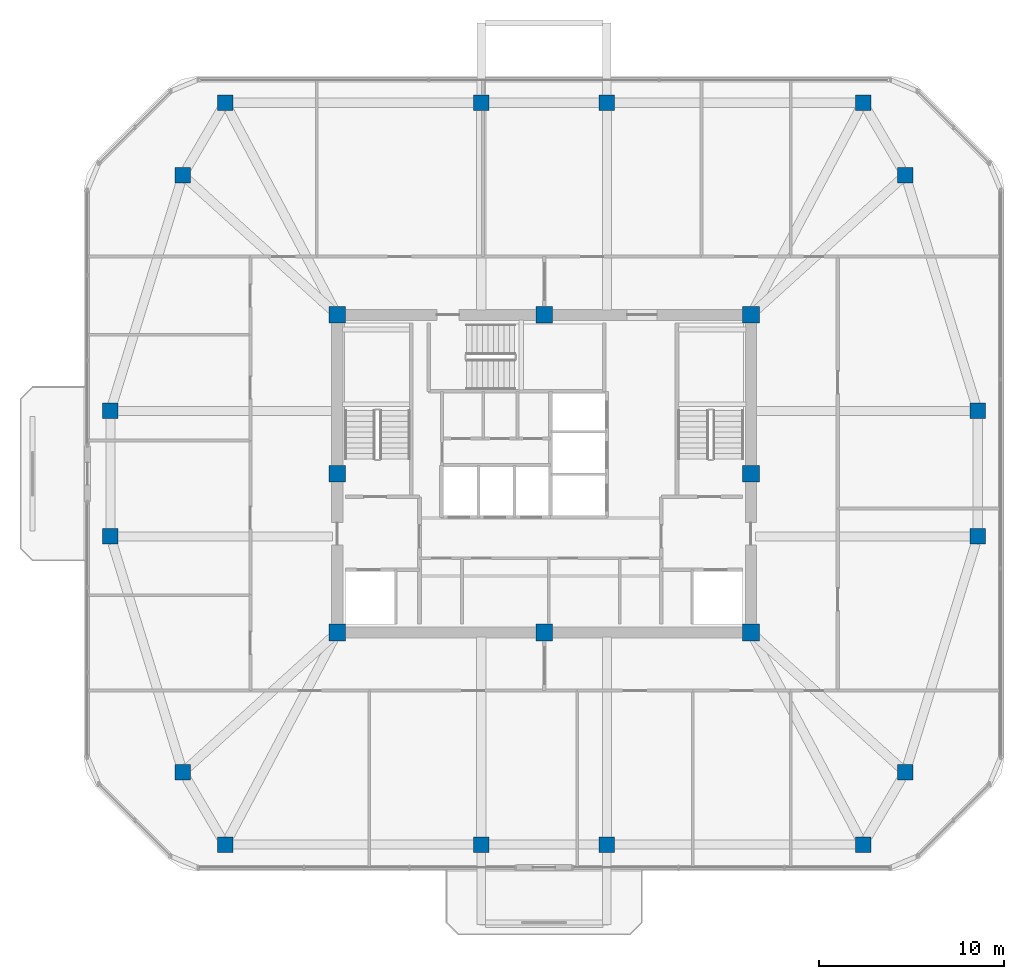
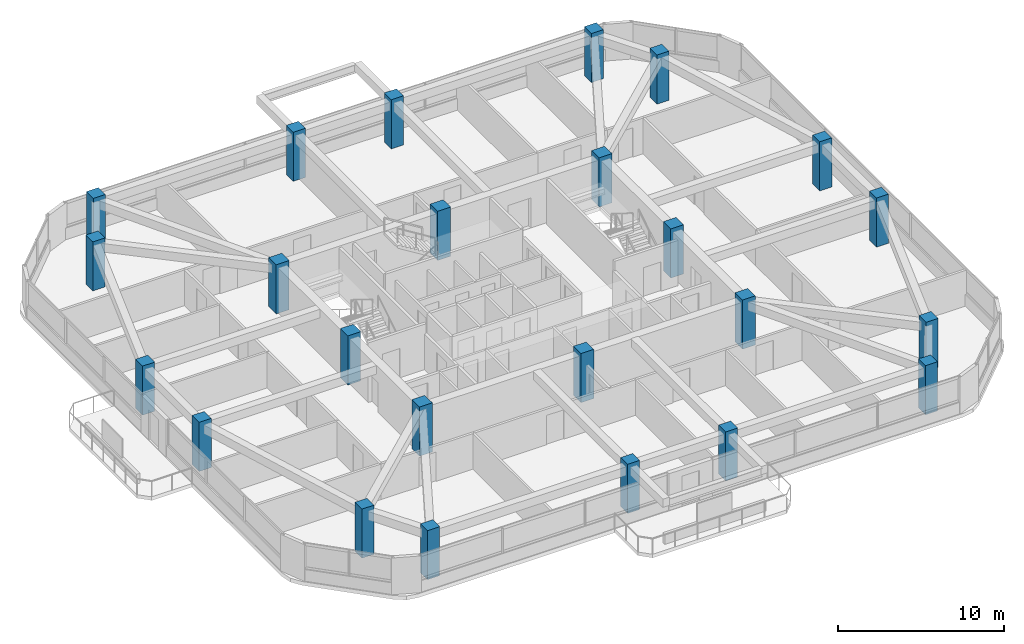
# One storey, part 1 of 13: 24 columns.
"""IFC4 building model written with IfcOpenShell, lengths in metres."""

from ifc_helpers import new_model, si_unit, derived_unit, direction, frame, origin, origin_2d, place, context, subcontext, project, spatial, rectangle, extrude, material, material_profile, profile_set, type_object, element, save


model = new_model("IFC4")

# Units and contexts
model_context = context("Model", 3, precision=1e-05, world=origin(), true_north=direction((0.0, 1.0)))
body_context = subcontext(model_context, "Body", "Model", "MODEL_VIEW")
ifc_project = project(units=[si_unit("LENGTHUNIT", "METRE"), si_unit("AREAUNIT", "SQUARE_METRE"), si_unit("VOLUMEUNIT", "CUBIC_METRE"), si_unit("PLANEANGLEUNIT", "RADIAN"), si_unit("MASSUNIT", "GRAM", prefix="KILO"), derived_unit("THERMALTRANSMITTANCEUNIT", [(si_unit("POWERUNIT", "WATT"), 1), (si_unit("LENGTHUNIT", "METRE"), -2), (si_unit("THERMODYNAMICTEMPERATUREUNIT", "KELVIN"), -1)])], contexts=[model_context])

# Site, building, storey
site_placement = place(None, origin())
site = spatial("IfcSite", under=ifc_project, at=site_placement, CompositionType="ELEMENT")
building_placement = place(site_placement, origin())
building = spatial("IfcBuilding", under=site, at=building_placement, Name="Koralith Skygarden Medical Center", CompositionType="ELEMENT")
storey_placement = place(building_placement, frame((0.0, 0.0, 250.02001953125)))
storey = spatial("IfcBuildingStorey", under=building, at=storey_placement, Name="L64", CompositionType="ELEMENT", Elevation=250.02001953125)

# Columns
ifc_material = material(Name="Concrete C55/67", Category="concrete")
ifc_material_profile_1 = material_profile(ifc_material, rectangle(XDim=0.89990234375, YDim=0.89990234375, at=origin_2d()), Name="RC900X900")
ifc_profile_set_1 = profile_set([ifc_material_profile_1], Name="Concrete C55/67")
column_type_1 = type_object("IfcColumnType", Name="Core Column C55 RC900", PredefinedType="COLUMN", material=ifc_profile_set_1)
for number, where, z_axis, x_axis, name in (
    (1, (25.800048828125, 17.300048828125, 0.0), (0.0, 0.0, 1.0), (1.0, 0.0, 0.0), "L64 Core Column CC-01"),
    (2, (37.0, 17.300048828125, 0.0), (0.0, 0.0, 1.0), (1.0, 0.0, 0.0), "L64 Core Column CC-02"),
    (3, (48.199951171875, 17.300048828125, 0.0), (0.0, 0.0, 1.0), (1.0, 0.0, 0.0), "L64 Core Column CC-03"),
    (4, (48.199951171875, 25.89990234375, 0.0), (0.0, 0.0, 1.0), (1.0, 0.0, 0.0), "L64 Core Column CC-04"),
    (5, (48.199951171875, 34.5, 0.0), (0.0, 0.0, 1.0), (1.0, 0.0, 0.0), "L64 Core Column CC-05"),
    (6, (37.0, 34.5, 0.0), (0.0, 0.0, 1.0), (1.0, 0.0, 0.0), "L64 Core Column CC-06"),
    (7, (25.800048828125, 34.5, 0.0), (0.0, 0.0, 1.0), (1.0, 0.0, 0.0), "L64 Core Column CC-07"),
    (8, (25.800048828125, 25.89990234375, 0.0), (0.0, 0.0, 1.0), (1.0, 0.0, 0.0), "L64 Core Column CC-08"),
):
    element("IfcColumn", number, at=place(storey_placement, frame(where, z_axis=z_axis, x_axis=x_axis)), inside=storey, type_object=column_type_1, Name=name, PredefinedType="COLUMN", context=body_context, shape_type="SweptSolid", body=[
        extrude(rectangle(XDim=0.89990234375, YDim=0.89990234375, at=origin_2d()), origin(), (0.0, 0.0, 1.0), 3.60009765625),
    ])
ifc_material_profile_2 = material_profile(ifc_material, rectangle(XDim=0.840087890625, YDim=0.840087890625, at=origin_2d()), Name="RC840X840")
ifc_profile_set_2 = profile_set([ifc_material_profile_2], Name="Concrete C55/67")
column_type_2 = type_object("IfcColumnType", Name="Zone 5 Upper Mega-Column C55 RC840", PredefinedType="COLUMN", material=ifc_profile_set_2)
for number, where, z_axis, x_axis, name in (
    (9, (13.52001953125, 22.5, 0.0), (0.0, 0.0, 1.0), (1.0, 0.0, 0.0), "L64 Perimeter Mega-Column MC-01"),
    (10, (17.43994140625, 9.739990234375, 0.0), (0.0, 0.0, 1.0), (1.0, 0.0, 0.0), "L64 Perimeter Mega-Column MC-02"),
    (11, (19.73193359375, 5.820068359375, 0.0), (0.0, 0.0, 1.0), (1.0, 0.0, 0.0), "L64 Perimeter Mega-Column MC-03"),
    (12, (33.60009765625, 5.820068359375, 0.0), (0.0, 0.0, 1.0), (1.0, 0.0, 0.0), "L64 Perimeter Mega-Column MC-04"),
    (13, (40.39990234375, 5.820068359375, 0.0), (0.0, 0.0, 1.0), (1.0, 0.0, 0.0), "L64 Perimeter Mega-Column MC-05"),
    (14, (54.26806640625, 5.820068359375, 0.0), (0.0, 0.0, 1.0), (1.0, 0.0, 0.0), "L64 Perimeter Mega-Column MC-06"),
    (15, (56.56005859375, 9.739990234375, 0.0), (0.0, 0.0, 1.0), (1.0, 0.0, 0.0), "L64 Perimeter Mega-Column MC-07"),
    (16, (60.47998046875, 22.5, 0.0), (0.0, 0.0, 1.0), (1.0, 0.0, 0.0), "L64 Perimeter Mega-Column MC-08"),
    (17, (60.47998046875, 29.300048828125, 0.0), (0.0, 0.0, 1.0), (1.0, 0.0, 0.0), "L64 Perimeter Mega-Column MC-09"),
    (18, (56.56005859375, 42.06005859375, 0.0), (0.0, 0.0, 1.0), (1.0, 0.0, 0.0), "L64 Perimeter Mega-Column MC-10"),
    (19, (54.26806640625, 45.97998046875, 0.0), (0.0, 0.0, 1.0), (1.0, 0.0, 0.0), "L64 Perimeter Mega-Column MC-11"),
    (20, (40.39990234375, 45.97998046875, 0.0), (0.0, 0.0, 1.0), (1.0, 0.0, 0.0), "L64 Perimeter Mega-Column MC-12"),
    (21, (33.60009765625, 45.97998046875, 0.0), (0.0, 0.0, 1.0), (1.0, 0.0, 0.0), "L64 Perimeter Mega-Column MC-13"),
    (22, (19.73193359375, 45.97998046875, 0.0), (0.0, 0.0, 1.0), (1.0, 0.0, 0.0), "L64 Perimeter Mega-Column MC-14"),
    (23, (17.43994140625, 42.06005859375, 0.0), (0.0, 0.0, 1.0), (1.0, 0.0, 0.0), "L64 Perimeter Mega-Column MC-15"),
    (24, (13.52001953125, 29.300048828125, 0.0), (0.0, 0.0, 1.0), (1.0, 0.0, 0.0), "L64 Perimeter Mega-Column MC-16"),
):
    element("IfcColumn", number, at=place(storey_placement, frame(where, z_axis=z_axis, x_axis=x_axis)), inside=storey, type_object=column_type_2, Name=name, PredefinedType="COLUMN", context=body_context, shape_type="SweptSolid", body=[
        extrude(rectangle(XDim=0.840087890625, YDim=0.840087890625, at=origin_2d()), origin(), (0.0, 0.0, 1.0), 3.60009765625),
    ])

save(model, "model.ifc")
